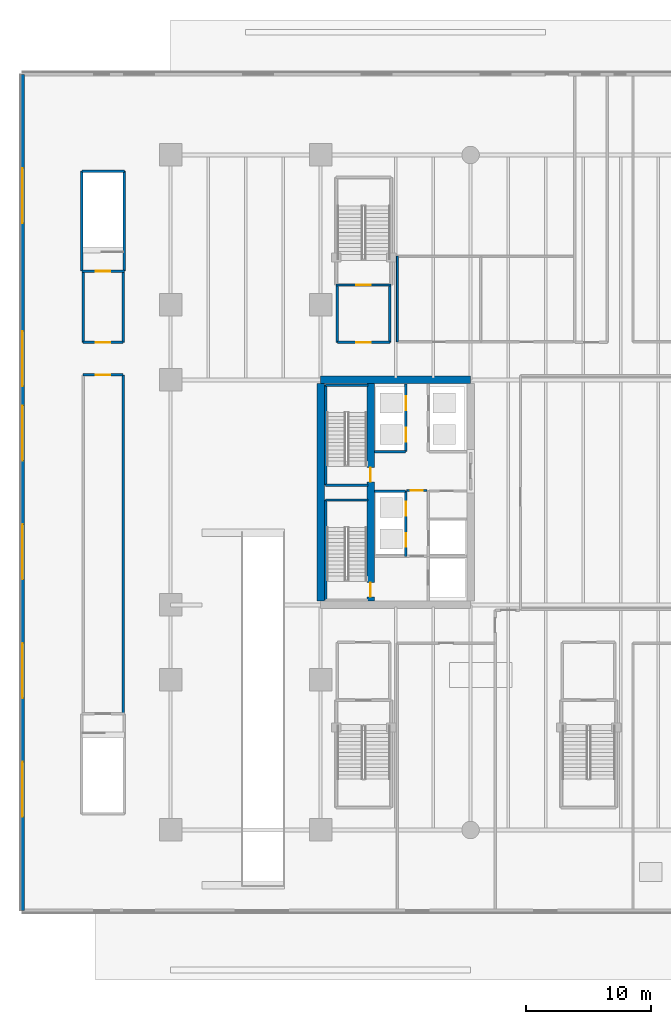
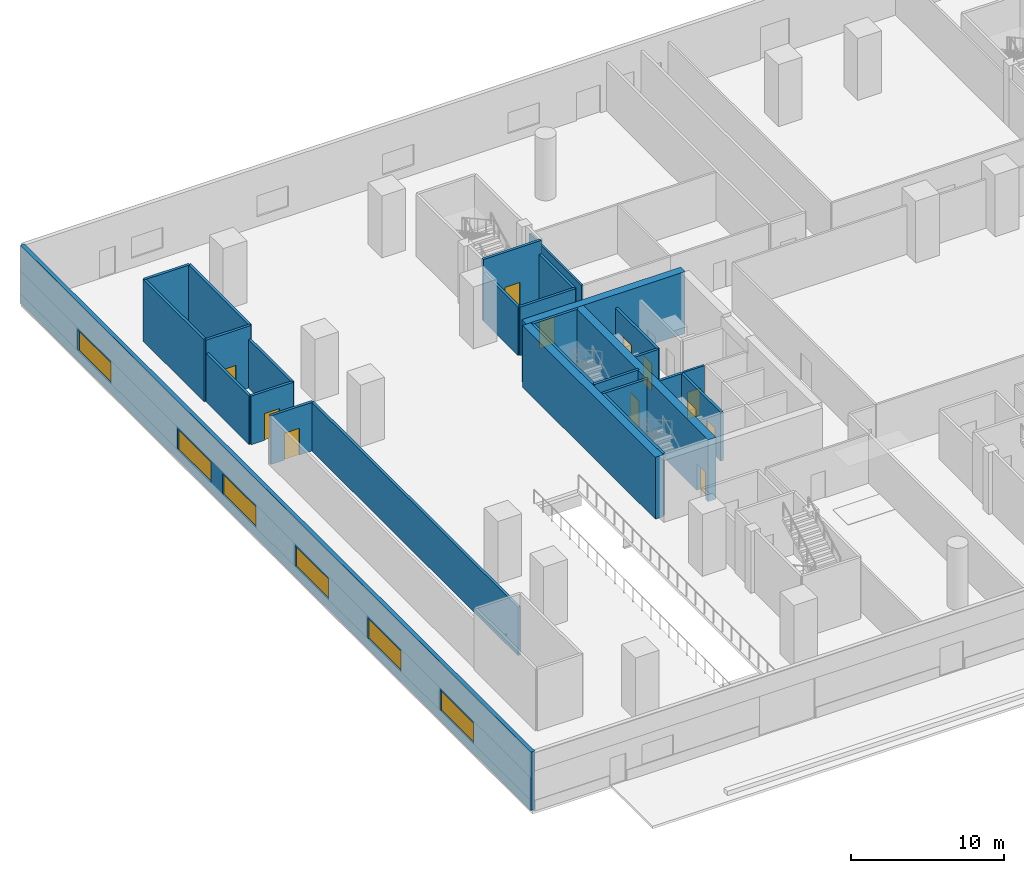
# One storey, part 6 of 25: 28 walls, 12 doors, 6 windows, 18 openings.
"""IFC4 building model written with IfcOpenShell, lengths in metres."""

from ifc_helpers import new_model, si_unit, direction, frame, frame_2d, origin, place, context, subcontext, project, spatial, rectangle, extrude, material, layer, layer_set, type_object, element, fill, save


model = new_model("IFC4")

# Units and contexts
model_context = context("Model", 3, precision=1e-05, world=origin(), true_north=direction((0.0, 1.0)))
body_context = subcontext(model_context, "Body", "Model", "MODEL_VIEW")
ifc_project = project(units=[si_unit("LENGTHUNIT", "METRE"), si_unit("AREAUNIT", "SQUARE_METRE"), si_unit("VOLUMEUNIT", "CUBIC_METRE"), si_unit("PLANEANGLEUNIT", "RADIAN"), si_unit("MASSUNIT", "GRAM", prefix="KILO")], contexts=[model_context])

# Site, building, storey
site_placement = place(None, origin())
site = spatial("IfcSite", under=ifc_project, at=site_placement, CompositionType="ELEMENT")
building_placement = place(site_placement, origin())
building = spatial("IfcBuilding", under=site, at=building_placement, Name="Tanjung Sevakor Pilgrim Tower", CompositionType="ELEMENT")
storey_placement = place(building_placement, origin())
storey = spatial("IfcBuildingStorey", under=building, at=storey_placement, Name="L01", CompositionType="ELEMENT", Elevation=0.0)

# Walls
ifc_material_1 = material(Name="Concrete C60/75", Category="concrete")
ifc_layer_1 = layer(ifc_material_1, 0.60009765625)
ifc_layer_set_1 = layer_set([ifc_layer_1], Name="WALL-CW-600")
wall_type_1 = type_object("IfcWallType", Name="WALL-CW-600", PredefinedType="SHEAR", material=ifc_layer_set_1)
wall_1_placement = place(storey_placement, frame((36.0, 42.60009765625, 0.0), z_axis=(0.0, 0.0, 1.0), x_axis=(-1.0, 0.0, 0.0)))
element("IfcWall", 1, at=wall_1_placement, inside=storey, type_object=wall_type_1, Name="L01 W Core North Shear Wall", PredefinedType="SHEAR", context=body_context, shape_type="SweptSolid", body=[
    extrude(rectangle(XDim=12.0, YDim=0.60009765625, at=frame_2d((6.0, 0.0))), origin(), (0.0, 0.0, 1.0), 4.949951171875),
])
wall_2_placement = place(storey_placement, frame((24.0, 24.89990234375, 0.0), z_axis=(0.0, 0.0, 1.0), x_axis=(0.0, 1.0, 0.0)))
element("IfcWall", 2, at=wall_2_placement, inside=storey, type_object=wall_type_1, Name="L01 W Core Outer Shear Wall", PredefinedType="SHEAR", context=body_context, shape_type="SweptSolid", body=[
    extrude(rectangle(XDim=17.400146484375, YDim=0.60009765625, at=frame_2d((8.7001953125, 0.0))), origin(), (0.0, 0.0, 1.0), 4.949951171875),
])

# Wall, openings, doors
wall_3_placement = place(storey_placement, frame((28.0, 24.89990234375, 0.0), z_axis=(0.0, 0.0, 1.0), x_axis=(0.0, 1.0, 0.0)))
wall_3 = element("IfcWall", 3, at=wall_3_placement, inside=storey, type_object=wall_type_1, Name="L01 W Core Stair Spine Wall", PredefinedType="SHEAR", context=body_context, shape_type="SweptSolid", body=[
    extrude(rectangle(XDim=17.400146484375, YDim=0.60009765625, at=frame_2d((8.7001953125, 0.0))), origin(), (0.0, 0.0, 1.0), 4.949951171875),
])
opening_1_placement = place(wall_3_placement, frame((0.35009765625, 0.0, 0.0)))
opening_1 = element("IfcOpeningElement", 4, at=opening_1_placement, cuts=wall_3, Name="Opening ID-ST1", PredefinedType="OPENING", context=body_context, shape_type="SweptSolid", body=[
    extrude(rectangle(XDim=1.14990234375, YDim=2.14990234375, at=frame_2d((0.574951171875, 1.074951171875))), frame((0.0, 0.31005859375, 0.0), z_axis=(0.0, -1.0, 0.0), x_axis=(1.0, 0.0, 0.0)), (0.0, 0.0, 1.0), 0.6201171875),
])
opening_2_placement = place(wall_3_placement, frame((9.550048828125, 0.0, 0.0)))
opening_2 = element("IfcOpeningElement", 5, at=opening_2_placement, cuts=wall_3, Name="Opening ID-ST1", PredefinedType="OPENING", context=body_context, shape_type="SweptSolid", body=[
    extrude(rectangle(XDim=1.14990234375, YDim=2.14990234375, at=frame_2d((0.574951171875, 1.074951171875))), frame((0.0, 0.31005859375, 0.0), z_axis=(0.0, -1.0, 0.0), x_axis=(1.0, 0.0, 0.0)), (0.0, 0.0, 1.0), 0.6201171875),
])
ifc_material_2 = material(Name="Fire-Rated Steel S355J2", Category="steel")
door_type_1 = type_object("IfcDoorType", Name="DT-FIRE-1150", OperationType="NOTDEFINED", PredefinedType="DOOR", material=ifc_material_2)
door_1_placement = place(opening_1_placement, frame((1.14990234375, 0.0, 0.0), z_axis=(0.0, 0.0, 1.0), x_axis=(-1.0, 0.0, 0.0)))
door_1 = element("IfcDoor", 6, at=door_1_placement, inside=storey, type_object=door_type_1, Name="L01 TS-W1 Stair Fire Door", OperationType="SINGLE_SWING_LEFT", OverallHeight=2.14990234375, OverallWidth=1.14990234375, PredefinedType="DOOR", context=body_context, shape_type="SweptSolid", body=[
    extrude(rectangle(XDim=1.14990234375, YDim=2.14990234375, at=frame_2d((0.574951171875, 1.074951171875))), frame((0.0, 0.02490234375, 0.0), z_axis=(0.0, -1.0, 0.0), x_axis=(1.0, 0.0, 0.0)), (0.0, 0.0, 1.0), 0.050048828125),
])
fill(opening_1, door_1)
door_2_placement = place(opening_2_placement, frame((1.14990234375, 0.0, 0.0), z_axis=(0.0, 0.0, 1.0), x_axis=(-1.0, 0.0, 0.0)))
door_2 = element("IfcDoor", 7, at=door_2_placement, inside=storey, type_object=door_type_1, Name="L01 TS-W2 Stair Fire Door", OperationType="SINGLE_SWING_RIGHT", OverallHeight=2.14990234375, OverallWidth=1.14990234375, PredefinedType="DOOR", context=body_context, shape_type="SweptSolid", body=[
    extrude(rectangle(XDim=1.14990234375, YDim=2.14990234375, at=frame_2d((0.574951171875, 1.074951171875))), frame((0.0, 0.02490234375, 0.0), z_axis=(0.0, -1.0, 0.0), x_axis=(1.0, 0.0, 0.0)), (0.0, 0.0, 1.0), 0.050048828125),
])
fill(opening_2, door_2)

# Wall, opening, door
ifc_material_3 = material(Name="Concrete C40/50", Category="concrete")
ifc_layer_2 = layer(ifc_material_3, 0.14990234375)
ifc_layer_set_2 = layer_set([ifc_layer_2], Name="WT-COMP-150")
wall_type_2 = type_object("IfcWallType", Name="WT-COMP-150", PredefinedType="SOLIDWALL", material=ifc_layer_set_2)
wall_4_placement = place(storey_placement, frame((30.89990234375, 33.760009765625, 0.0), z_axis=(0.0, 0.0, 1.0), x_axis=(1.0, 0.0, 0.0)))
wall_4 = element("IfcWall", 8, at=wall_4_placement, inside=storey, type_object=wall_type_2, Name="L01 Partition IW-L01-004", PredefinedType="SOLIDWALL", context=body_context, shape_type="SweptSolid", body=[
    extrude(rectangle(XDim=1.60009765625, YDim=0.14990234375, at=frame_2d((0.800048828125, 0.0))), origin(), (0.0, 0.0, 1.0), 3.889892578125),
])
opening_3_placement = place(wall_4_placement, frame((0.324951171875, 0.0, 0.0)))
opening_3 = element("IfcOpeningElement", 9, at=opening_3_placement, cuts=wall_4, Name="Opening ID-FD2", PredefinedType="OPENING", context=body_context, shape_type="SweptSolid", body=[
    extrude(rectangle(XDim=0.949951171875, YDim=2.14990234375, at=frame_2d((0.47509765625, 1.074951171875))), frame((0.0, 0.0849609375, 0.0), z_axis=(0.0, -1.0, 0.0), x_axis=(1.0, 0.0, 0.0)), (0.0, 0.0, 1.0), 0.169921875),
])
ifc_material_4 = material(Name="Fire-Rated Timber", Category="wood")
door_type_2 = type_object("IfcDoorType", Name="DT-FIRE-950", OperationType="NOTDEFINED", PredefinedType="DOOR", material=ifc_material_4)
door_3_placement = place(opening_3_placement, origin())
door_3 = element("IfcDoor", 10, at=door_3_placement, inside=storey, type_object=door_type_2, Name="L01 South Core W Exit Door", OperationType="SINGLE_SWING_LEFT", OverallHeight=2.14990234375, OverallWidth=0.949951171875, PredefinedType="DOOR", context=body_context, shape_type="SweptSolid", body=[
    extrude(rectangle(XDim=0.949951171875, YDim=2.14990234375, at=frame_2d((0.47509765625, 1.074951171875))), frame((0.0, 0.02490234375, 0.0), z_axis=(0.0, -1.0, 0.0), x_axis=(1.0, 0.0, 0.0)), (0.0, 0.0, 1.0), 0.050048828125),
])
fill(opening_3, door_3)

# Wall
wall_5_placement = place(storey_placement, frame((30.14990234375, 45.64990234375, 0.0), z_axis=(0.0, 0.0, 1.0), x_axis=(0.0, 1.0, 0.0)))
element("IfcWall", 11, at=wall_5_placement, inside=storey, type_object=wall_type_2, Name="L01 Partition IW-L01-090", PredefinedType="SOLIDWALL", context=body_context, shape_type="SweptSolid", body=[
    extrude(rectangle(XDim=6.85009765625, YDim=0.14990234375, at=frame_2d((3.425048828125, 0.0))), origin(), (0.0, 0.0, 1.0), 3.889892578125),
])

# Wall, openings, windows
ifc_material_5 = material(Name="Precast concrete C45/55", Category="concrete")
ifc_layer_3 = layer(ifc_material_5, 0.300048828125)
ifc_layer_set_3 = layer_set([ifc_layer_3], Name="WT-EW-STN1")
wall_type_3 = type_object("IfcWallType", Name="WT-EW-STN1", PredefinedType="SOLIDWALL", material=ifc_layer_set_3)
wall_6_placement = place(storey_placement, frame((0.14990234375, 67.050048828125, 0.0), z_axis=(0.0, 0.0, 1.0), x_axis=(0.0, -1.0, 0.0)))
wall_6 = element("IfcWall", 12, at=wall_6_placement, inside=storey, type_object=wall_type_3, Name="L01 MAIN Exterior Wall 4", PredefinedType="SOLIDWALL", context=body_context, shape_type="SweptSolid", body=[
    extrude(rectangle(XDim=66.900146484375, YDim=0.300048828125, at=frame_2d((33.4501953125, 0.0))), origin(), (0.0, 0.0, 1.0), 4.669921875),
])
opening_4_placement = place(wall_6_placement, frame((20.550048828125, 0.0, 0.780029296875)))
opening_4 = element("IfcOpeningElement", 13, at=opening_4_placement, cuts=wall_6, Name="Opening WN-ENDW-1660", PredefinedType="OPENING", context=body_context, shape_type="SweptSolid", body=[
    extrude(rectangle(XDim=4.39990234375, YDim=1.659912109375, at=frame_2d((2.199951171875, 0.830078125))), frame((0.0, 0.159912109375, 0.0), z_axis=(0.0, -1.0, 0.0), x_axis=(1.0, 0.0, 0.0)), (0.0, 0.0, 1.0), 0.320068359375),
])
opening_5_placement = place(wall_6_placement, frame((7.5, 0.0, 0.780029296875)))
opening_5 = element("IfcOpeningElement", 14, at=opening_5_placement, cuts=wall_6, Name="Opening WN-ENDW-1660", PredefinedType="OPENING", context=body_context, shape_type="SweptSolid", body=[
    extrude(rectangle(XDim=4.39990234375, YDim=1.659912109375, at=frame_2d((2.199951171875, 0.830078125))), frame((0.0, 0.159912109375, 0.0), z_axis=(0.0, -1.0, 0.0), x_axis=(1.0, 0.0, 0.0)), (0.0, 0.0, 1.0), 0.320068359375),
])
opening_6_placement = place(wall_6_placement, frame((26.5, 0.0, 0.780029296875)))
opening_6 = element("IfcOpeningElement", 15, at=opening_6_placement, cuts=wall_6, Name="Opening WN-ENDW-1660", PredefinedType="OPENING", context=body_context, shape_type="SweptSolid", body=[
    extrude(rectangle(XDim=4.39990234375, YDim=1.659912109375, at=frame_2d((2.199951171875, 0.830078125))), frame((0.0, 0.159912109375, 0.0), z_axis=(0.0, -1.0, 0.0), x_axis=(1.0, 0.0, 0.0)), (0.0, 0.0, 1.0), 0.320068359375),
])
opening_7_placement = place(wall_6_placement, frame((36.0, 0.0, 0.780029296875)))
opening_7 = element("IfcOpeningElement", 16, at=opening_7_placement, cuts=wall_6, Name="Opening WN-ENDW-1660", PredefinedType="OPENING", context=body_context, shape_type="SweptSolid", body=[
    extrude(rectangle(XDim=4.39990234375, YDim=1.659912109375, at=frame_2d((2.199951171875, 0.830078125))), frame((0.0, 0.159912109375, 0.0), z_axis=(0.0, -1.0, 0.0), x_axis=(1.0, 0.0, 0.0)), (0.0, 0.0, 1.0), 0.320068359375),
])
opening_8_placement = place(wall_6_placement, frame((45.5, 0.0, 0.780029296875)))
opening_8 = element("IfcOpeningElement", 17, at=opening_8_placement, cuts=wall_6, Name="Opening WN-ENDW-1660", PredefinedType="OPENING", context=body_context, shape_type="SweptSolid", body=[
    extrude(rectangle(XDim=4.39990234375, YDim=1.659912109375, at=frame_2d((2.199951171875, 0.830078125))), frame((0.0, 0.159912109375, 0.0), z_axis=(0.0, -1.0, 0.0), x_axis=(1.0, 0.0, 0.0)), (0.0, 0.0, 1.0), 0.320068359375),
])
opening_9_placement = place(wall_6_placement, frame((55.0, 0.0, 0.780029296875)))
opening_9 = element("IfcOpeningElement", 18, at=opening_9_placement, cuts=wall_6, Name="Opening WN-ENDW-1660", PredefinedType="OPENING", context=body_context, shape_type="SweptSolid", body=[
    extrude(rectangle(XDim=4.39990234375, YDim=1.659912109375, at=frame_2d((2.199951171875, 0.830078125))), frame((0.0, 0.159912109375, 0.0), z_axis=(0.0, -1.0, 0.0), x_axis=(1.0, 0.0, 0.0)), (0.0, 0.0, 1.0), 0.320068359375),
])
ifc_material_6 = material(Name="Thermally Broken Aluminium and Low-E Glass", Category="aluminium")
window_type = type_object("IfcWindowType", Name="WTYP-WN-ENDW-1660", PartitioningType="DOUBLE_PANEL_VERTICAL", PredefinedType="WINDOW", material=ifc_material_6)
window_1_placement = place(opening_4_placement, origin())
window_1 = element("IfcWindow", 19, at=window_1_placement, inside=storey, type_object=window_type, Name="L01 Facade Window 01", OverallHeight=1.659912109375, OverallWidth=4.39990234375, PartitioningType="SINGLE_PANEL", PredefinedType="WINDOW", context=body_context, shape_type="SweptSolid", body=[
    extrude(rectangle(XDim=4.39990234375, YDim=1.659912109375, at=frame_2d((2.199951171875, 0.830078125))), frame((0.0, 0.030029296875, 0.0), z_axis=(0.0, -1.0, 0.0), x_axis=(1.0, 0.0, 0.0)), (0.0, 0.0, 1.0), 0.06005859375),
])
fill(opening_4, window_1)
window_2_placement = place(opening_5_placement, origin())
window_2 = element("IfcWindow", 20, at=window_2_placement, inside=storey, type_object=window_type, Name="L01 Facade Window 02", OverallHeight=1.659912109375, OverallWidth=4.39990234375, PartitioningType="SINGLE_PANEL", PredefinedType="WINDOW", context=body_context, shape_type="SweptSolid", body=[
    extrude(rectangle(XDim=4.39990234375, YDim=1.659912109375, at=frame_2d((2.199951171875, 0.830078125))), frame((0.0, 0.030029296875, 0.0), z_axis=(0.0, -1.0, 0.0), x_axis=(1.0, 0.0, 0.0)), (0.0, 0.0, 1.0), 0.06005859375),
])
fill(opening_5, window_2)
window_3_placement = place(opening_6_placement, origin())
window_3 = element("IfcWindow", 21, at=window_3_placement, inside=storey, type_object=window_type, Name="L01 Facade Window 03", OverallHeight=1.659912109375, OverallWidth=4.39990234375, PartitioningType="SINGLE_PANEL", PredefinedType="WINDOW", context=body_context, shape_type="SweptSolid", body=[
    extrude(rectangle(XDim=4.39990234375, YDim=1.659912109375, at=frame_2d((2.199951171875, 0.830078125))), frame((0.0, 0.030029296875, 0.0), z_axis=(0.0, -1.0, 0.0), x_axis=(1.0, 0.0, 0.0)), (0.0, 0.0, 1.0), 0.06005859375),
])
fill(opening_6, window_3)
window_4_placement = place(opening_7_placement, origin())
window_4 = element("IfcWindow", 22, at=window_4_placement, inside=storey, type_object=window_type, Name="L01 Facade Window 04", OverallHeight=1.659912109375, OverallWidth=4.39990234375, PartitioningType="SINGLE_PANEL", PredefinedType="WINDOW", context=body_context, shape_type="SweptSolid", body=[
    extrude(rectangle(XDim=4.39990234375, YDim=1.659912109375, at=frame_2d((2.199951171875, 0.830078125))), frame((0.0, 0.030029296875, 0.0), z_axis=(0.0, -1.0, 0.0), x_axis=(1.0, 0.0, 0.0)), (0.0, 0.0, 1.0), 0.06005859375),
])
fill(opening_7, window_4)
window_5_placement = place(opening_8_placement, origin())
window_5 = element("IfcWindow", 23, at=window_5_placement, inside=storey, type_object=window_type, Name="L01 Facade Window 05", OverallHeight=1.659912109375, OverallWidth=4.39990234375, PartitioningType="SINGLE_PANEL", PredefinedType="WINDOW", context=body_context, shape_type="SweptSolid", body=[
    extrude(rectangle(XDim=4.39990234375, YDim=1.659912109375, at=frame_2d((2.199951171875, 0.830078125))), frame((0.0, 0.030029296875, 0.0), z_axis=(0.0, -1.0, 0.0), x_axis=(1.0, 0.0, 0.0)), (0.0, 0.0, 1.0), 0.06005859375),
])
fill(opening_8, window_5)
window_6_placement = place(opening_9_placement, origin())
window_6 = element("IfcWindow", 24, at=window_6_placement, inside=storey, type_object=window_type, Name="L01 Facade Window 06", OverallHeight=1.659912109375, OverallWidth=4.39990234375, PartitioningType="SINGLE_PANEL", PredefinedType="WINDOW", context=body_context, shape_type="SweptSolid", body=[
    extrude(rectangle(XDim=4.39990234375, YDim=1.659912109375, at=frame_2d((2.199951171875, 0.830078125))), frame((0.0, 0.030029296875, 0.0), z_axis=(0.0, -1.0, 0.0), x_axis=(1.0, 0.0, 0.0)), (0.0, 0.0, 1.0), 0.06005859375),
])
fill(opening_9, window_6)

# Walls
ifc_material_7 = material(Name="Concrete C40/50", Category="concrete")
ifc_layer_4 = layer(ifc_material_7, 0.199951171875)
ifc_layer_set_4 = layer_set([ifc_layer_4], Name="WT-FIRE-200")
wall_type_4 = type_object("IfcWallType", Name="WT-FIRE-200", PredefinedType="SOLIDWALL", material=ifc_layer_set_4)
wall_7_placement = place(storey_placement, frame((27.800048828125, 33.0, 0.0), z_axis=(0.0, 0.0, 1.0), x_axis=(-1.0, 0.0, 0.0)))
element("IfcWall", 25, at=wall_7_placement, inside=storey, type_object=wall_type_4, Name="L01 TS-W1 Shaft Wall 2", PredefinedType="SOLIDWALL", context=body_context, shape_type="SweptSolid", body=[
    extrude(rectangle(XDim=3.400146484375, YDim=0.199951171875, at=frame_2d((1.7001953125, 0.0))), origin(), (0.0, 0.0, 1.0), 4.949951171875),
])
wall_8_placement = place(storey_placement, frame((24.39990234375, 33.0, 0.0), z_axis=(0.0, 0.0, 1.0), x_axis=(0.0, -1.0, 0.0)))
element("IfcWall", 26, at=wall_8_placement, inside=storey, type_object=wall_type_4, Name="L01 TS-W1 Shaft Wall 3", PredefinedType="SOLIDWALL", context=body_context, shape_type="SweptSolid", body=[
    extrude(rectangle(XDim=8.0, YDim=0.199951171875, at=frame_2d((4.0, 0.0))), origin(), (0.0, 0.0, 1.0), 4.949951171875),
])
for number, where, z_axis, x_axis, name in (
    (27, (24.39990234375, 34.199951171875, 0.0), (0.0, 0.0, 1.0), (1.0, 0.0, 0.0), "L01 TS-W2 Shaft Wall 1"),
    (28, (27.800048828125, 42.199951171875, 0.0), (0.0, 0.0, 1.0), (-1.0, 0.0, 0.0), "L01 TS-W2 Shaft Wall 2"),
):
    element("IfcWall", number, at=place(storey_placement, frame(where, z_axis=z_axis, x_axis=x_axis)), inside=storey, type_object=wall_type_4, Name=name, PredefinedType="SOLIDWALL", context=body_context, shape_type="SweptSolid", body=[
        extrude(rectangle(XDim=3.400146484375, YDim=0.199951171875, at=frame_2d((1.7001953125, 0.0))), origin(), (0.0, 0.0, 1.0), 4.949951171875),
    ])
wall_9_placement = place(storey_placement, frame((24.39990234375, 42.199951171875, 0.0), z_axis=(0.0, 0.0, 1.0), x_axis=(0.0, -1.0, 0.0)))
element("IfcWall", 29, at=wall_9_placement, inside=storey, type_object=wall_type_4, Name="L01 TS-W2 Shaft Wall 3", PredefinedType="SOLIDWALL", context=body_context, shape_type="SweptSolid", body=[
    extrude(rectangle(XDim=8.0, YDim=0.199951171875, at=frame_2d((4.0, 0.0))), origin(), (0.0, 0.0, 1.0), 4.949951171875),
])

# Wall, opening, door
wall_10_placement = place(storey_placement, frame((25.25, 50.199951171875, 0.0), z_axis=(0.0, 0.0, 1.0), x_axis=(1.0, 0.0, 0.0)))
wall_10 = element("IfcWall", 30, at=wall_10_placement, inside=storey, type_object=wall_type_4, Name="L01 PS-2 Shaft Wall 1", PredefinedType="SOLIDWALL", context=body_context, shape_type="SweptSolid", body=[
    extrude(rectangle(XDim=4.39990234375, YDim=0.199951171875, at=frame_2d((2.199951171875, 0.0))), origin(), (0.0, 0.0, 1.0), 4.949951171875),
])
opening_10_placement = place(wall_10_placement, frame((1.625, 0.0, 0.0)))
opening_10 = element("IfcOpeningElement", 31, at=opening_10_placement, cuts=wall_10, Name="Opening ID-ST1", PredefinedType="OPENING", context=body_context, shape_type="SweptSolid", body=[
    extrude(rectangle(XDim=1.14990234375, YDim=2.14990234375, at=frame_2d((0.574951171875, 1.074951171875))), frame((0.0, 0.10986328125, 0.0), z_axis=(0.0, -1.0, 0.0), x_axis=(1.0, 0.0, 0.0)), (0.0, 0.0, 1.0), 0.219970703125),
])
door_4_placement = place(opening_10_placement, frame((1.14990234375, 0.0, 0.0), z_axis=(0.0, 0.0, 1.0), x_axis=(-1.0, 0.0, 0.0)))
door_4 = element("IfcDoor", 32, at=door_4_placement, inside=storey, type_object=door_type_1, Name="L01 PS-2 Stair Entry Fire Door", OperationType="SINGLE_SWING_RIGHT", OverallHeight=2.14990234375, OverallWidth=1.14990234375, PredefinedType="DOOR", context=body_context, shape_type="SweptSolid", body=[
    extrude(rectangle(XDim=1.14990234375, YDim=2.14990234375, at=frame_2d((0.574951171875, 1.074951171875))), frame((0.0, 0.02490234375, 0.0), z_axis=(0.0, -1.0, 0.0), x_axis=(1.0, 0.0, 0.0)), (0.0, 0.0, 1.0), 0.050048828125),
])
fill(opening_10, door_4)

wall_11_placement = place(storey_placement, frame((4.89990234375, 51.300048828125, 0.0), z_axis=(0.0, 0.0, 1.0), x_axis=(1.0, 0.0, 0.0)))
wall_11 = element("IfcWall", 33, at=wall_11_placement, inside=storey, type_object=wall_type_4, Name="L01 BS-2 Shaft Wall 1", PredefinedType="SOLIDWALL", context=body_context, shape_type="SweptSolid", body=[
    extrude(rectangle(XDim=3.400146484375, YDim=0.199951171875, at=frame_2d((1.7001953125, 0.0))), origin(), (0.0, 0.0, 1.0), 4.949951171875),
])
opening_11_placement = place(wall_11_placement, frame((1.125, 0.0, 0.0)))
opening_11 = element("IfcOpeningElement", 34, at=opening_11_placement, cuts=wall_11, Name="Opening ID-ST1", PredefinedType="OPENING", context=body_context, shape_type="SweptSolid", body=[
    extrude(rectangle(XDim=1.14990234375, YDim=2.14990234375, at=frame_2d((0.574951171875, 1.074951171875))), frame((0.0, 0.10986328125, 0.0), z_axis=(0.0, -1.0, 0.0), x_axis=(1.0, 0.0, 0.0)), (0.0, 0.0, 1.0), 0.219970703125),
])
door_5_placement = place(opening_11_placement, frame((1.14990234375, 0.0, 0.0), z_axis=(0.0, 0.0, 1.0), x_axis=(-1.0, 0.0, 0.0)))
door_5 = element("IfcDoor", 35, at=door_5_placement, inside=storey, type_object=door_type_1, Name="L01 BS-2 Stair Entry Fire Door", OperationType="SINGLE_SWING_RIGHT", OverallHeight=2.14990234375, OverallWidth=1.14990234375, PredefinedType="DOOR", context=body_context, shape_type="SweptSolid", body=[
    extrude(rectangle(XDim=1.14990234375, YDim=2.14990234375, at=frame_2d((0.574951171875, 1.074951171875))), frame((0.0, 0.02490234375, 0.0), z_axis=(0.0, -1.0, 0.0), x_axis=(1.0, 0.0, 0.0)), (0.0, 0.0, 1.0), 0.050048828125),
])
fill(opening_11, door_5)

# Walls
wall_12_placement = place(storey_placement, frame((8.300048828125, 51.300048828125, 0.0), z_axis=(0.0, 0.0, 1.0), x_axis=(0.0, 1.0, 0.0)))
element("IfcWall", 36, at=wall_12_placement, inside=storey, type_object=wall_type_4, Name="L01 BS-2 Shaft Wall 2", PredefinedType="SOLIDWALL", context=body_context, shape_type="SweptSolid", body=[
    extrude(rectangle(XDim=8.0, YDim=0.199951171875, at=frame_2d((4.0, 0.0))), origin(), (0.0, 0.0, 1.0), 4.949951171875),
])
wall_13_placement = place(storey_placement, frame((8.300048828125, 59.300048828125, 0.0), z_axis=(0.0, 0.0, 1.0), x_axis=(-1.0, 0.0, 0.0)))
element("IfcWall", 37, at=wall_13_placement, inside=storey, type_object=wall_type_4, Name="L01 BS-2 Shaft Wall 3", PredefinedType="SOLIDWALL", context=body_context, shape_type="SweptSolid", body=[
    extrude(rectangle(XDim=3.400146484375, YDim=0.199951171875, at=frame_2d((1.7001953125, 0.0))), origin(), (0.0, 0.0, 1.0), 4.949951171875),
])
wall_14_placement = place(storey_placement, frame((4.89990234375, 59.300048828125, 0.0), z_axis=(0.0, 0.0, 1.0), x_axis=(0.0, -1.0, 0.0)))
element("IfcWall", 38, at=wall_14_placement, inside=storey, type_object=wall_type_4, Name="L01 BS-2 Shaft Wall 4", PredefinedType="SOLIDWALL", context=body_context, shape_type="SweptSolid", body=[
    extrude(rectangle(XDim=8.0, YDim=0.199951171875, at=frame_2d((4.0, 0.0))), origin(), (0.0, 0.0, 1.0), 4.949951171875),
])
ifc_material_8 = material(Name="Concrete C40/50", Category="concrete")
ifc_layer_5 = layer(ifc_material_8, 0.199951171875)
ifc_layer_set_5 = layer_set([ifc_layer_5], Name="WT-FPRT-200")
wall_type_5 = type_object("IfcWallType", Name="WT-FPRT-200", PredefinedType="SOLIDWALL", material=ifc_layer_set_5)
wall_15_placement = place(storey_placement, frame((28.320068359375, 33.719970703125, 0.0), z_axis=(0.0, 0.0, 1.0), x_axis=(1.0, 0.0, 0.0)))
element("IfcWall", 39, at=wall_15_placement, inside=storey, type_object=wall_type_5, Name="L01 Partition IW-L01-005", PredefinedType="SOLIDWALL", context=body_context, shape_type="SweptSolid", body=[
    extrude(rectangle(XDim=2.47998046875, YDim=0.199951171875, at=frame_2d((1.239990234375, 0.0))), origin(), (0.0, 0.0, 1.0), 3.889892578125),
])

# Wall, openings, doors
wall_16_placement = place(storey_placement, frame((30.820068359375, 28.5, 0.0), z_axis=(0.0, 0.0, 1.0), x_axis=(0.0, 1.0, 0.0)))
wall_16 = element("IfcWall", 40, at=wall_16_placement, inside=storey, type_object=wall_type_5, Name="L01 Partition IW-L01-006", PredefinedType="SOLIDWALL", context=body_context, shape_type="SweptSolid", body=[
    extrude(rectangle(XDim=5.219970703125, YDim=0.199951171875, at=frame_2d((2.60986328125, 0.0))), origin(), (0.0, 0.0, 1.0), 3.889892578125),
])
opening_12_placement = place(wall_16_placement, frame((0.75, 0.0, 0.0)))
opening_12 = element("IfcOpeningElement", 41, at=opening_12_placement, cuts=wall_16, Name="Opening LD-1100", PredefinedType="OPENING", context=body_context, shape_type="SweptSolid", body=[
    extrude(rectangle(XDim=1.10009765625, YDim=2.199951171875, at=frame_2d((0.550048828125, 1.10009765625))), frame((0.0, 0.10986328125, 0.0), z_axis=(0.0, -1.0, 0.0), x_axis=(1.0, 0.0, 0.0)), (0.0, 0.0, 1.0), 0.219970703125),
])
opening_13_placement = place(wall_16_placement, frame((3.25, 0.0, 0.0)))
opening_13 = element("IfcOpeningElement", 42, at=opening_13_placement, cuts=wall_16, Name="Opening LD-1100", PredefinedType="OPENING", context=body_context, shape_type="SweptSolid", body=[
    extrude(rectangle(XDim=1.10009765625, YDim=2.199951171875, at=frame_2d((0.550048828125, 1.10009765625))), frame((0.0, 0.10986328125, 0.0), z_axis=(0.0, -1.0, 0.0), x_axis=(1.0, 0.0, 0.0)), (0.0, 0.0, 1.0), 0.219970703125),
])
ifc_material_9 = material(Name="Brushed Stainless Steel S355J2", Category="steel")
door_type_3 = type_object("IfcDoorType", Name="DT-LIFT-1100", OperationType="SLIDING_TO_LEFT", PredefinedType="DOOR", material=ifc_material_9)
door_6_placement = place(opening_12_placement, origin())
door_6 = element("IfcDoor", 43, at=door_6_placement, inside=storey, type_object=door_type_3, Name="LD-PLL1-W", OperationType="SLIDING_TO_LEFT", OverallHeight=2.199951171875, OverallWidth=1.10009765625, PredefinedType="DOOR", context=body_context, shape_type="SweptSolid", body=[
    extrude(rectangle(XDim=1.10009765625, YDim=2.199951171875, at=frame_2d((0.550048828125, 1.10009765625))), frame((0.0, 0.02490234375, 0.0), z_axis=(0.0, -1.0, 0.0), x_axis=(1.0, 0.0, 0.0)), (0.0, 0.0, 1.0), 0.050048828125),
])
fill(opening_12, door_6)
door_7_placement = place(opening_13_placement, origin())
door_7 = element("IfcDoor", 44, at=door_7_placement, inside=storey, type_object=door_type_3, Name="LD-PLL2-W", OperationType="SLIDING_TO_RIGHT", OverallHeight=2.199951171875, OverallWidth=1.10009765625, PredefinedType="DOOR", context=body_context, shape_type="SweptSolid", body=[
    extrude(rectangle(XDim=1.10009765625, YDim=2.199951171875, at=frame_2d((0.550048828125, 1.10009765625))), frame((0.0, 0.02490234375, 0.0), z_axis=(0.0, -1.0, 0.0), x_axis=(1.0, 0.0, 0.0)), (0.0, 0.0, 1.0), 0.050048828125),
])
fill(opening_13, door_7)

# Wall
wall_17_placement = place(storey_placement, frame((28.320068359375, 36.8798828125, 0.0), z_axis=(0.0, 0.0, 1.0), x_axis=(1.0, 0.0, 0.0)))
element("IfcWall", 45, at=wall_17_placement, inside=storey, type_object=wall_type_5, Name="L01 Partition IW-L01-011", PredefinedType="SOLIDWALL", context=body_context, shape_type="SweptSolid", body=[
    extrude(rectangle(XDim=2.47998046875, YDim=0.199951171875, at=frame_2d((1.239990234375, 0.0))), origin(), (0.0, 0.0, 1.0), 3.889892578125),
])

# Wall, openings, doors
wall_18_placement = place(storey_placement, frame((30.820068359375, 36.8798828125, 0.0), z_axis=(0.0, 0.0, 1.0), x_axis=(0.0, 1.0, 0.0)))
wall_18 = element("IfcWall", 46, at=wall_18_placement, inside=storey, type_object=wall_type_5, Name="L01 Partition IW-L01-012", PredefinedType="SOLIDWALL", context=body_context, shape_type="SweptSolid", body=[
    extrude(rectangle(XDim=5.420166015625, YDim=0.199951171875, at=frame_2d((2.7099609375, 0.0))), origin(), (0.0, 0.0, 1.0), 3.889892578125),
])
opening_14_placement = place(wall_18_placement, frame((0.800048828125, 0.0, 0.0)))
opening_14 = element("IfcOpeningElement", 47, at=opening_14_placement, cuts=wall_18, Name="Opening LD-1100", PredefinedType="OPENING", context=body_context, shape_type="SweptSolid", body=[
    extrude(rectangle(XDim=1.10009765625, YDim=2.199951171875, at=frame_2d((0.550048828125, 1.10009765625))), frame((0.0, 0.10986328125, 0.0), z_axis=(0.0, -1.0, 0.0), x_axis=(1.0, 0.0, 0.0)), (0.0, 0.0, 1.0), 0.219970703125),
])
opening_15_placement = place(wall_18_placement, frame((3.300048828125, 0.0, 0.0)))
opening_15 = element("IfcOpeningElement", 48, at=opening_15_placement, cuts=wall_18, Name="Opening LD-1100", PredefinedType="OPENING", context=body_context, shape_type="SweptSolid", body=[
    extrude(rectangle(XDim=1.10009765625, YDim=2.199951171875, at=frame_2d((0.550048828125, 1.10009765625))), frame((0.0, 0.10986328125, 0.0), z_axis=(0.0, -1.0, 0.0), x_axis=(1.0, 0.0, 0.0)), (0.0, 0.0, 1.0), 0.219970703125),
])
door_8_placement = place(opening_14_placement, origin())
door_8 = element("IfcDoor", 49, at=door_8_placement, inside=storey, type_object=door_type_3, Name="LD-PLM1-W", OperationType="SLIDING_TO_LEFT", OverallHeight=2.199951171875, OverallWidth=1.10009765625, PredefinedType="DOOR", context=body_context, shape_type="SweptSolid", body=[
    extrude(rectangle(XDim=1.10009765625, YDim=2.199951171875, at=frame_2d((0.550048828125, 1.10009765625))), frame((0.0, 0.02490234375, 0.0), z_axis=(0.0, -1.0, 0.0), x_axis=(1.0, 0.0, 0.0)), (0.0, 0.0, 1.0), 0.050048828125),
])
fill(opening_14, door_8)
door_9_placement = place(opening_15_placement, origin())
door_9 = element("IfcDoor", 50, at=door_9_placement, inside=storey, type_object=door_type_3, Name="LD-PLM2-W", OperationType="SLIDING_TO_RIGHT", OverallHeight=2.199951171875, OverallWidth=1.10009765625, PredefinedType="DOOR", context=body_context, shape_type="SweptSolid", body=[
    extrude(rectangle(XDim=1.10009765625, YDim=2.199951171875, at=frame_2d((0.550048828125, 1.10009765625))), frame((0.0, 0.02490234375, 0.0), z_axis=(0.0, -1.0, 0.0), x_axis=(1.0, 0.0, 0.0)), (0.0, 0.0, 1.0), 0.050048828125),
])
fill(opening_15, door_9)

# Walls
for number, where, z_axis, x_axis, name in (
    (51, (25.35009765625, 45.60009765625, 0.0), (0.0, 0.0, 1.0), (0.0, 1.0, 0.0), "L01 Partition IW-L01-040"),
    (52, (29.550048828125, 45.60009765625, 0.0), (0.0, 0.0, 1.0), (0.0, 1.0, 0.0), "L01 Partition IW-L01-041"),
):
    element("IfcWall", number, at=place(storey_placement, frame(where, z_axis=z_axis, x_axis=x_axis)), inside=storey, type_object=wall_type_5, Name=name, PredefinedType="SOLIDWALL", context=body_context, shape_type="SweptSolid", body=[
        extrude(rectangle(XDim=4.599853515625, YDim=0.199951171875, at=frame_2d((2.2998046875, 0.0))), origin(), (0.0, 0.0, 1.0), 3.889892578125),
    ])

# Wall, opening, door
wall_19_placement = place(storey_placement, frame((25.35009765625, 45.60009765625, 0.0), z_axis=(0.0, 0.0, 1.0), x_axis=(1.0, 0.0, 0.0)))
wall_19 = element("IfcWall", 53, at=wall_19_placement, inside=storey, type_object=wall_type_5, Name="L01 Partition IW-L01-042", PredefinedType="SOLIDWALL", context=body_context, shape_type="SweptSolid", body=[
    extrude(rectangle(XDim=4.199951171875, YDim=0.199951171875, at=frame_2d((2.10009765625, 0.0))), origin(), (0.0, 0.0, 1.0), 3.889892578125),
])
opening_16_placement = place(wall_19_placement, frame((1.52490234375, 0.0, 0.0)))
opening_16 = element("IfcOpeningElement", 54, at=opening_16_placement, cuts=wall_19, Name="Opening ID-ST1", PredefinedType="OPENING", context=body_context, shape_type="SweptSolid", body=[
    extrude(rectangle(XDim=1.14990234375, YDim=2.14990234375, at=frame_2d((0.574951171875, 1.074951171875))), frame((0.0, 0.10986328125, 0.0), z_axis=(0.0, -1.0, 0.0), x_axis=(1.0, 0.0, 0.0)), (0.0, 0.0, 1.0), 0.219970703125),
])
door_10_placement = place(opening_16_placement, frame((1.14990234375, 0.0, 0.0), z_axis=(0.0, 0.0, 1.0), x_axis=(-1.0, 0.0, 0.0)))
door_10 = element("IfcDoor", 55, at=door_10_placement, inside=storey, type_object=door_type_1, Name="L01 Stair Lobby PS2 Exit Door", OperationType="SINGLE_SWING_LEFT", OverallHeight=2.14990234375, OverallWidth=1.14990234375, PredefinedType="DOOR", context=body_context, shape_type="SweptSolid", body=[
    extrude(rectangle(XDim=1.14990234375, YDim=2.14990234375, at=frame_2d((0.574951171875, 1.074951171875))), frame((0.0, 0.02490234375, 0.0), z_axis=(0.0, -1.0, 0.0), x_axis=(1.0, 0.0, 0.0)), (0.0, 0.0, 1.0), 0.050048828125),
])
fill(opening_16, door_10)

# Walls
for number, where, z_axis, x_axis, name in (
    (56, (5.0, 45.60009765625, 0.0), (0.0, 0.0, 1.0), (0.0, 1.0, 0.0), "L01 Partition IW-L01-049"),
    (57, (8.199951171875, 45.60009765625, 0.0), (0.0, 0.0, 1.0), (0.0, 1.0, 0.0), "L01 Partition IW-L01-050"),
):
    element("IfcWall", number, at=place(storey_placement, frame(where, z_axis=z_axis, x_axis=x_axis)), inside=storey, type_object=wall_type_5, Name=name, PredefinedType="SOLIDWALL", context=body_context, shape_type="SweptSolid", body=[
        extrude(rectangle(XDim=5.699951171875, YDim=0.199951171875, at=frame_2d((2.85009765625, 0.0))), origin(), (0.0, 0.0, 1.0), 3.889892578125),
    ])

# Wall, opening, door
wall_20_placement = place(storey_placement, frame((5.0, 45.60009765625, 0.0), z_axis=(0.0, 0.0, 1.0), x_axis=(1.0, 0.0, 0.0)))
wall_20 = element("IfcWall", 58, at=wall_20_placement, inside=storey, type_object=wall_type_5, Name="L01 Partition IW-L01-055", PredefinedType="SOLIDWALL", context=body_context, shape_type="SweptSolid", body=[
    extrude(rectangle(XDim=3.199951171875, YDim=0.199951171875, at=frame_2d((1.60009765625, 0.0))), origin(), (0.0, 0.0, 1.0), 3.889892578125),
])
opening_17_placement = place(wall_20_placement, frame((1.02490234375, 0.0, 0.0)))
opening_17 = element("IfcOpeningElement", 59, at=opening_17_placement, cuts=wall_20, Name="Opening ID-ST1", PredefinedType="OPENING", context=body_context, shape_type="SweptSolid", body=[
    extrude(rectangle(XDim=1.14990234375, YDim=2.14990234375, at=frame_2d((0.574951171875, 1.074951171875))), frame((0.0, 0.10986328125, 0.0), z_axis=(0.0, -1.0, 0.0), x_axis=(1.0, 0.0, 0.0)), (0.0, 0.0, 1.0), 0.219970703125),
])
door_11_placement = place(opening_17_placement, frame((1.14990234375, 0.0, 0.0), z_axis=(0.0, 0.0, 1.0), x_axis=(-1.0, 0.0, 0.0)))
door_11 = element("IfcDoor", 60, at=door_11_placement, inside=storey, type_object=door_type_1, Name="L01 Stair Lobby BS2 Exit Door", OperationType="SINGLE_SWING_RIGHT", OverallHeight=2.14990234375, OverallWidth=1.14990234375, PredefinedType="DOOR", context=body_context, shape_type="SweptSolid", body=[
    extrude(rectangle(XDim=1.14990234375, YDim=2.14990234375, at=frame_2d((0.574951171875, 1.074951171875))), frame((0.0, 0.02490234375, 0.0), z_axis=(0.0, -1.0, 0.0), x_axis=(1.0, 0.0, 0.0)), (0.0, 0.0, 1.0), 0.050048828125),
])
fill(opening_17, door_11)

# Wall
wall_21_placement = place(storey_placement, frame((8.199951171875, 15.89990234375, 0.0), z_axis=(0.0, 0.0, 1.0), x_axis=(0.0, 1.0, 0.0)))
element("IfcWall", 61, at=wall_21_placement, inside=storey, type_object=wall_type_5, Name="L01 Partition IW-L01-059", PredefinedType="SOLIDWALL", context=body_context, shape_type="SweptSolid", body=[
    extrude(rectangle(XDim=27.10009765625, YDim=0.199951171875, at=frame_2d((13.550048828125, 0.0))), origin(), (0.0, 0.0, 1.0), 3.889892578125),
])

# Wall, opening, door
wall_22_placement = place(storey_placement, frame((5.0, 43.0, 0.0), z_axis=(0.0, 0.0, 1.0), x_axis=(1.0, 0.0, 0.0)))
wall_22 = element("IfcWall", 62, at=wall_22_placement, inside=storey, type_object=wall_type_5, Name="L01 Partition IW-L01-060", PredefinedType="SOLIDWALL", context=body_context, shape_type="SweptSolid", body=[
    extrude(rectangle(XDim=3.199951171875, YDim=0.199951171875, at=frame_2d((1.60009765625, 0.0))), origin(), (0.0, 0.0, 1.0), 3.889892578125),
])
opening_18_placement = place(wall_22_placement, frame((1.02490234375, 0.0, 0.0)))
opening_18 = element("IfcOpeningElement", 63, at=opening_18_placement, cuts=wall_22, Name="Opening ID-ST1", PredefinedType="OPENING", context=body_context, shape_type="SweptSolid", body=[
    extrude(rectangle(XDim=1.14990234375, YDim=2.14990234375, at=frame_2d((0.574951171875, 1.074951171875))), frame((0.0, 0.10986328125, 0.0), z_axis=(0.0, -1.0, 0.0), x_axis=(1.0, 0.0, 0.0)), (0.0, 0.0, 1.0), 0.219970703125),
])
door_12_placement = place(opening_18_placement, origin())
door_12 = element("IfcDoor", 64, at=door_12_placement, inside=storey, type_object=door_type_1, Name="L01 BS1 Exit Corridor Door", OperationType="SINGLE_SWING_LEFT", OverallHeight=2.14990234375, OverallWidth=1.14990234375, PredefinedType="DOOR", context=body_context, shape_type="SweptSolid", body=[
    extrude(rectangle(XDim=1.14990234375, YDim=2.14990234375, at=frame_2d((0.574951171875, 1.074951171875))), frame((0.0, 0.02490234375, 0.0), z_axis=(0.0, -1.0, 0.0), x_axis=(1.0, 0.0, 0.0)), (0.0, 0.0, 1.0), 0.050048828125),
])
fill(opening_18, door_12)

save(model, "model.ifc")
